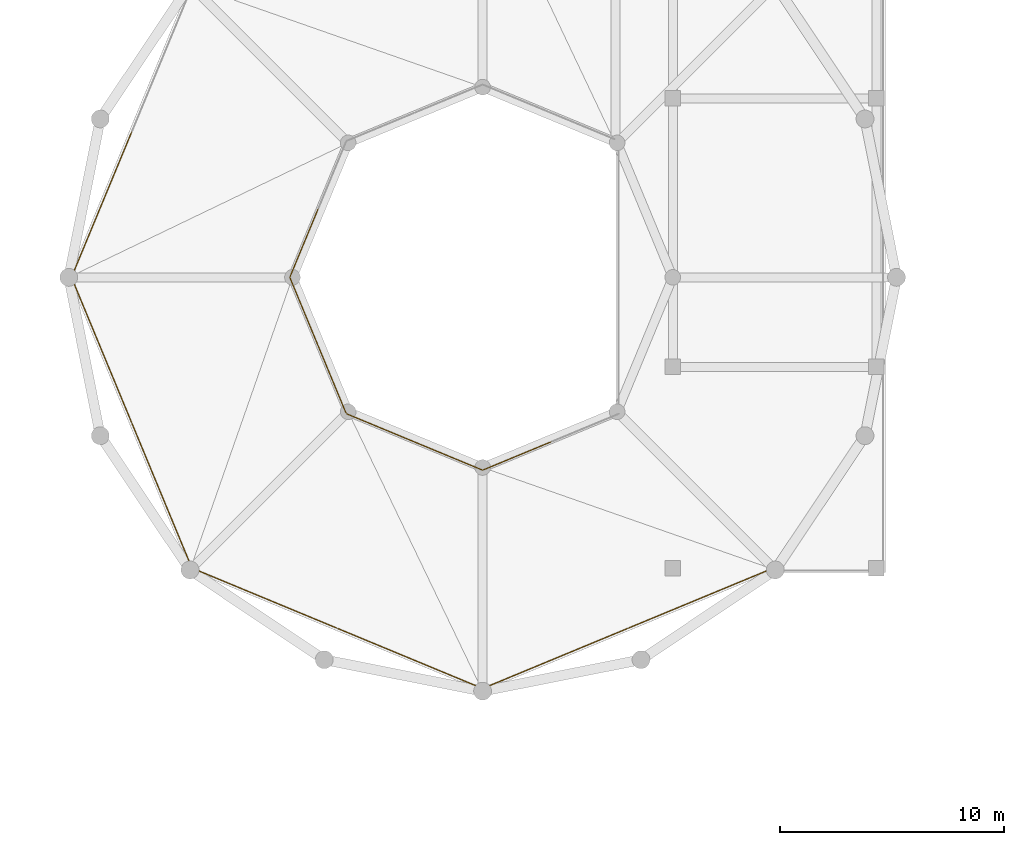
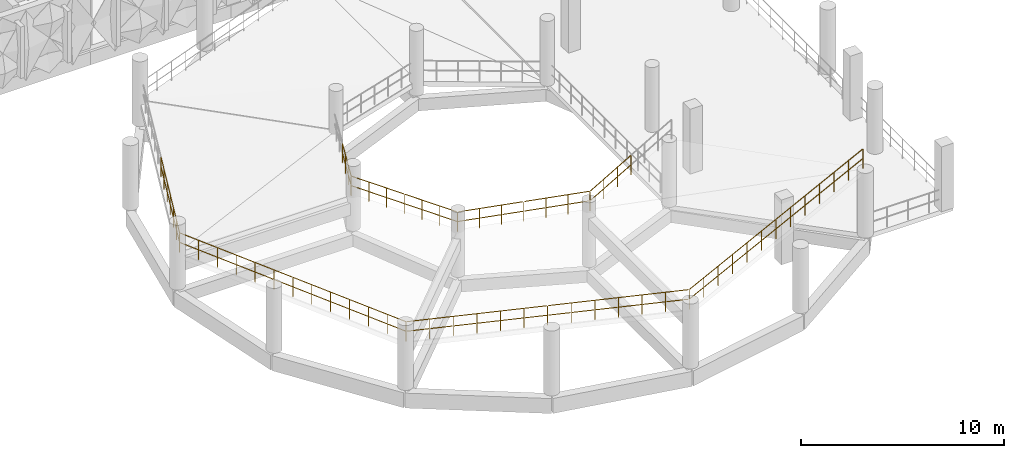
# One storey, part 82 of 96: 13 railings.
"""IFC4 building model written with IfcOpenShell, lengths in metres."""

from ifc_helpers import new_model, si_unit, derived_unit, direction, frame, origin, origin_2d, place, context, subcontext, project, spatial, circle, extrude, material, type_object, element, save


model = new_model("IFC4")

# Units and contexts
model_context = context("Model", 3, precision=1e-05, world=origin(), true_north=direction((0.0, 1.0)))
body_context = subcontext(model_context, "Body", "Model", "MODEL_VIEW")
ifc_project = project(units=[si_unit("LENGTHUNIT", "METRE"), si_unit("AREAUNIT", "SQUARE_METRE"), si_unit("VOLUMEUNIT", "CUBIC_METRE"), si_unit("PLANEANGLEUNIT", "RADIAN"), si_unit("MASSUNIT", "GRAM", prefix="KILO"), si_unit("THERMODYNAMICTEMPERATUREUNIT", "KELVIN"), derived_unit("THERMALTRANSMITTANCEUNIT", [(si_unit("POWERUNIT", "WATT"), 1), (si_unit("AREAUNIT", "SQUARE_METRE"), -1), (si_unit("THERMODYNAMICTEMPERATUREUNIT", "KELVIN"), -1)])], contexts=[model_context])

# Site, building, storey
site_placement = place(None, origin())
site = spatial("IfcSite", under=ifc_project, at=site_placement, CompositionType="ELEMENT")
building_placement = place(site_placement, origin())
building = spatial("IfcBuilding", under=site, at=building_placement, Name="Haiyu Intermodal Mobility Hub", CompositionType="ELEMENT")
storey_placement = place(building_placement, frame((0.0, 0.0, 9.5)))
storey = spatial("IfcBuildingStorey", under=building, at=storey_placement, Name="L02", CompositionType="ELEMENT", Elevation=9.5)

# Railings
ifc_material = material(Name="Steel Q355C", Category="steel")
railing_type = type_object("IfcRailingType", Name="RAL-GR01", PredefinedType="GUARDRAIL", material=ifc_material)
railing_1_placement = place(storey_placement, frame((18.31201171875, 66.498046875, 1.625)))
element("IfcRailing", 1, at=railing_1_placement, inside=storey, type_object=railing_type, Name="RAL-VRMP-O-L02-03B", PredefinedType="GUARDRAIL", context=body_context, shape_type="SweptSolid", body=[
    extrude(circle(Radius=0.02392578125, at=origin_2d()), frame((-0.011474609375, -0.027587890625, 1.17724609375), z_axis=(-0.382313907833, -0.922879282684, 0.046150898905), x_axis=(0.923863678282, -0.382721705618, 0.0)), (0.0, 0.0, 1.0), 6.98095703125),
    extrude(circle(Radius=0.02392578125, at=origin_2d()), frame((-0.01416015625, -0.034423828125, 0.601806640625), z_axis=(-0.382313907833, -0.922879282684, 0.046150898905), x_axis=(0.923863678282, -0.382721705618, 0.0)), (0.0, 0.0, 1.0), 1.098876953125),
    extrude(circle(Radius=0.02392578125, at=origin_2d()), frame((-0.462890625, -1.117431640625, 0.65576171875), z_axis=(-0.382313907833, -0.922879282684, 0.046150898905), x_axis=(0.923863678282, -0.382721705618, 0.0)), (0.0, 0.0, 1.0), 1.098876953125),
    extrude(circle(Radius=0.02392578125, at=origin_2d()), frame((-0.91162109375, -2.200439453125, 0.7099609375), z_axis=(-0.382313907833, -0.922879282684, 0.046150898905), x_axis=(0.923863678282, -0.382721705618, 0.0)), (0.0, 0.0, 1.0), 1.098876953125),
    extrude(circle(Radius=0.02392578125, at=origin_2d()), frame((-1.360107421875, -3.283447265625, 0.76416015625), z_axis=(-0.382313907833, -0.922879282684, 0.046150898905), x_axis=(0.923863678282, -0.382721705618, 0.0)), (0.0, 0.0, 1.0), 1.098876953125),
    extrude(circle(Radius=0.02392578125, at=origin_2d()), frame((-1.808837890625, -4.366455078125, 0.818359375), z_axis=(-0.382313907833, -0.922879282684, 0.046150898905), x_axis=(0.923863678282, -0.382721705618, 0.0)), (0.0, 0.0, 1.0), 1.098876953125),
    extrude(circle(Radius=0.02392578125, at=origin_2d()), frame((-2.257568359375, -5.449462890625, 0.87255859375), z_axis=(-0.382313907833, -0.922879282684, 0.046150898905), x_axis=(0.923863678282, -0.382721705618, 0.0)), (0.0, 0.0, 1.0), 1.098876953125),
    extrude(circle(Radius=0.02099609375, at=origin_2d()), origin(), (0.0, 0.0, 1.0), 1.143798828125),
    extrude(circle(Radius=0.02099609375, at=origin_2d()), frame((-0.44873046875, -1.0830078125, 0.05419921875)), (0.0, 0.0, 1.0), 1.143798828125),
    extrude(circle(Radius=0.02099609375, at=origin_2d()), frame((-0.897216796875, -2.166015625, 0.1083984375)), (0.0, 0.0, 1.0), 1.143798828125),
    extrude(circle(Radius=0.02099609375, at=origin_2d()), frame((-1.345947265625, -3.2490234375, 0.16259765625)), (0.0, 0.0, 1.0), 1.143798828125),
    extrude(circle(Radius=0.02099609375, at=origin_2d()), frame((-1.794677734375, -4.33203125, 0.216552734375)), (0.0, 0.0, 1.0), 1.143798828125),
    extrude(circle(Radius=0.02099609375, at=origin_2d()), frame((-2.2431640625, -5.4150390625, 0.270751953125)), (0.0, 0.0, 1.0), 1.143798828125),
    extrude(circle(Radius=0.02099609375, at=origin_2d()), frame((-2.69189453125, -6.498046875, 0.324951171875)), (0.0, 0.0, 1.0), 1.143798828125),
])
railing_2_placement = place(storey_placement, frame((26.64208984375, 63.048095703125, 1.625)))
element("IfcRailing", 2, at=railing_2_placement, inside=storey, type_object=railing_type, Name="RAL-VRMP-I-L02-03B", PredefinedType="GUARDRAIL", context=body_context, shape_type="SweptSolid", body=[
    extrude(circle(Radius=0.02392578125, at=origin_2d()), frame((-0.011474609375, -0.027587890625, 1.178955078125), z_axis=(-0.380748953641, -0.919468217836, 0.098022602959), x_axis=(0.923917630863, -0.382591441855, 0.0)), (0.0, 0.0, 1.0), 3.255126953125),
    extrude(circle(Radius=0.02392578125, at=origin_2d()), frame((-0.01416015625, -0.0341796875, 0.603515625), z_axis=(-0.380748953641, -0.919468217836, 0.098022602959), x_axis=(0.923917630863, -0.382591441855, 0.0)), (0.0, 0.0, 1.0), 1.030517578125),
    extrude(circle(Radius=0.02392578125, at=origin_2d()), frame((-0.434814453125, -1.05029296875, 0.7119140625), z_axis=(-0.380748953641, -0.919468217836, 0.098022602959), x_axis=(0.923917630863, -0.382591441855, 0.0)), (0.0, 0.0, 1.0), 1.030517578125),
    extrude(circle(Radius=0.02392578125, at=origin_2d()), frame((-0.855712890625, -2.06640625, 0.8203125), z_axis=(-0.380748953641, -0.919468217836, 0.098022602959), x_axis=(0.923917630863, -0.382591441855, 0.0)), (0.0, 0.0, 1.0), 1.030517578125),
    extrude(circle(Radius=0.02099609375, at=origin_2d()), origin(), (0.0, 0.0, 1.0), 1.143798828125),
    extrude(circle(Radius=0.02099609375, at=origin_2d()), frame((-0.420654296875, -1.01611328125, 0.1083984375)), (0.0, 0.0, 1.0), 1.143798828125),
    extrude(circle(Radius=0.02099609375, at=origin_2d()), frame((-0.841552734375, -2.031982421875, 0.216552734375)), (0.0, 0.0, 1.0), 1.143798828125),
    extrude(circle(Radius=0.02099609375, at=origin_2d()), frame((-1.26220703125, -3.048095703125, 0.324951171875)), (0.0, 0.0, 1.0), 1.143798828125),
])
railing_3_placement = place(storey_placement, frame((15.6201171875, 60.0, 1.949951171875)))
element("IfcRailing", 3, at=railing_3_placement, inside=storey, type_object=railing_type, Name="RAL-VRMP-O-L02-04A", PredefinedType="GUARDRAIL", context=body_context, shape_type="SweptSolid", body=[
    extrude(circle(Radius=0.02392578125, at=origin_2d()), frame((0.011474609375, -0.027587890625, 1.17724609375), z_axis=(0.382313907833, -0.922879282684, 0.046150898905), x_axis=(0.923863678282, 0.382721705618, 0.0)), (0.0, 0.0, 1.0), 6.98095703125),
    extrude(circle(Radius=0.02392578125, at=origin_2d()), frame((0.01416015625, -0.034423828125, 0.601806640625), z_axis=(0.382313907833, -0.922879282684, 0.046150898905), x_axis=(0.923863678282, 0.382721705618, 0.0)), (0.0, 0.0, 1.0), 1.098876953125),
    extrude(circle(Radius=0.02392578125, at=origin_2d()), frame((0.462890625, -1.117431640625, 0.65576171875), z_axis=(0.382313907833, -0.922879282684, 0.046150898905), x_axis=(0.923863678282, 0.382721705618, 0.0)), (0.0, 0.0, 1.0), 1.098876953125),
    extrude(circle(Radius=0.02392578125, at=origin_2d()), frame((0.91162109375, -2.200439453125, 0.7099609375), z_axis=(0.382313907833, -0.922879282684, 0.046150898905), x_axis=(0.923863678282, 0.382721705618, 0.0)), (0.0, 0.0, 1.0), 1.098876953125),
    extrude(circle(Radius=0.02392578125, at=origin_2d()), frame((1.360107421875, -3.283447265625, 0.76416015625), z_axis=(0.382313907833, -0.922879282684, 0.046150898905), x_axis=(0.923863678282, 0.382721705618, 0.0)), (0.0, 0.0, 1.0), 1.098876953125),
    extrude(circle(Radius=0.02392578125, at=origin_2d()), frame((1.808837890625, -4.366455078125, 0.818359375), z_axis=(0.382313907833, -0.922879282684, 0.046150898905), x_axis=(0.923863678282, 0.382721705618, 0.0)), (0.0, 0.0, 1.0), 1.098876953125),
    extrude(circle(Radius=0.02392578125, at=origin_2d()), frame((2.257568359375, -5.449462890625, 0.87255859375), z_axis=(0.382313907833, -0.922879282684, 0.046150898905), x_axis=(0.923863678282, 0.382721705618, 0.0)), (0.0, 0.0, 1.0), 1.098876953125),
    extrude(circle(Radius=0.02099609375, at=origin_2d()), origin(), (0.0, 0.0, 1.0), 1.143798828125),
    extrude(circle(Radius=0.02099609375, at=origin_2d()), frame((0.44873046875, -1.0830078125, 0.05419921875)), (0.0, 0.0, 1.0), 1.143798828125),
    extrude(circle(Radius=0.02099609375, at=origin_2d()), frame((0.897216796875, -2.166015625, 0.1083984375)), (0.0, 0.0, 1.0), 1.143798828125),
    extrude(circle(Radius=0.02099609375, at=origin_2d()), frame((1.345947265625, -3.2490234375, 0.16259765625)), (0.0, 0.0, 1.0), 1.143798828125),
    extrude(circle(Radius=0.02099609375, at=origin_2d()), frame((1.794677734375, -4.33203125, 0.216552734375)), (0.0, 0.0, 1.0), 1.143798828125),
    extrude(circle(Radius=0.02099609375, at=origin_2d()), frame((2.2431640625, -5.4150390625, 0.270751953125)), (0.0, 0.0, 1.0), 1.143798828125),
    extrude(circle(Radius=0.02099609375, at=origin_2d()), frame((2.69189453125, -6.498046875, 0.324951171875)), (0.0, 0.0, 1.0), 1.143798828125),
])
railing_4_placement = place(storey_placement, frame((18.31201171875, 53.501953125, 2.27490234375)))
element("IfcRailing", 4, at=railing_4_placement, inside=storey, type_object=railing_type, Name="RAL-VRMP-O-L02-04B", PredefinedType="GUARDRAIL", context=body_context, shape_type="SweptSolid", body=[
    extrude(circle(Radius=0.02392578125, at=origin_2d()), frame((0.011474609375, -0.027587890625, 1.17724609375), z_axis=(0.382313295814, -0.922877805314, 0.046185498823), x_axis=(0.923863678282, 0.382721705618, 0.0)), (0.0, 0.0, 1.0), 6.98095703125),
    extrude(circle(Radius=0.02392578125, at=origin_2d()), frame((0.01416015625, -0.034423828125, 0.601806640625), z_axis=(0.382313295814, -0.922877805314, 0.046185498823), x_axis=(0.923863678282, 0.382721705618, 0.0)), (0.0, 0.0, 1.0), 1.098876953125),
    extrude(circle(Radius=0.02392578125, at=origin_2d()), frame((0.462890625, -1.117431640625, 0.656005859375), z_axis=(0.382313295814, -0.922877805314, 0.046185498823), x_axis=(0.923863678282, 0.382721705618, 0.0)), (0.0, 0.0, 1.0), 1.098876953125),
    extrude(circle(Radius=0.02392578125, at=origin_2d()), frame((0.91162109375, -2.200439453125, 0.710205078125), z_axis=(0.382313295814, -0.922877805314, 0.046185498823), x_axis=(0.923863678282, 0.382721705618, 0.0)), (0.0, 0.0, 1.0), 1.098876953125),
    extrude(circle(Radius=0.02392578125, at=origin_2d()), frame((1.360107421875, -3.283447265625, 0.764404296875), z_axis=(0.382313295814, -0.922877805314, 0.046185498823), x_axis=(0.923863678282, 0.382721705618, 0.0)), (0.0, 0.0, 1.0), 1.098876953125),
    extrude(circle(Radius=0.02392578125, at=origin_2d()), frame((1.808837890625, -4.366455078125, 0.818603515625), z_axis=(0.382313295814, -0.922877805314, 0.046185498823), x_axis=(0.923863678282, 0.382721705618, 0.0)), (0.0, 0.0, 1.0), 1.098876953125),
    extrude(circle(Radius=0.02392578125, at=origin_2d()), frame((2.257568359375, -5.449462890625, 0.872802734375), z_axis=(0.382313295814, -0.922877805314, 0.046185498823), x_axis=(0.923863678282, 0.382721705618, 0.0)), (0.0, 0.0, 1.0), 1.098876953125),
    extrude(circle(Radius=0.02099609375, at=origin_2d()), origin(), (0.0, 0.0, 1.0), 1.143798828125),
    extrude(circle(Radius=0.02099609375, at=origin_2d()), frame((0.44873046875, -1.0830078125, 0.05419921875)), (0.0, 0.0, 1.0), 1.143798828125),
    extrude(circle(Radius=0.02099609375, at=origin_2d()), frame((0.897216796875, -2.166015625, 0.1083984375)), (0.0, 0.0, 1.0), 1.143798828125),
    extrude(circle(Radius=0.02099609375, at=origin_2d()), frame((1.345947265625, -3.2490234375, 0.16259765625)), (0.0, 0.0, 1.0), 1.143798828125),
    extrude(circle(Radius=0.02099609375, at=origin_2d()), frame((1.794677734375, -4.33203125, 0.216796875)), (0.0, 0.0, 1.0), 1.143798828125),
    extrude(circle(Radius=0.02099609375, at=origin_2d()), frame((2.2431640625, -5.4150390625, 0.27099609375)), (0.0, 0.0, 1.0), 1.143798828125),
    extrude(circle(Radius=0.02099609375, at=origin_2d()), frame((2.69189453125, -6.498046875, 0.3251953125)), (0.0, 0.0, 1.0), 1.143798828125),
])
railing_5_placement = place(storey_placement, frame((25.3798828125, 60.0, 1.949951171875)))
element("IfcRailing", 5, at=railing_5_placement, inside=storey, type_object=railing_type, Name="RAL-VRMP-I-L02-04A", PredefinedType="GUARDRAIL", context=body_context, shape_type="SweptSolid", body=[
    extrude(circle(Radius=0.02392578125, at=origin_2d()), frame((0.011474609375, -0.027587890625, 1.178955078125), z_axis=(0.380748953641, -0.919468217836, 0.098022602959), x_axis=(0.923917630863, 0.382591441855, 0.0)), (0.0, 0.0, 1.0), 3.255126953125),
    extrude(circle(Radius=0.02392578125, at=origin_2d()), frame((0.01416015625, -0.0341796875, 0.603515625), z_axis=(0.380748953641, -0.919468217836, 0.098022602959), x_axis=(0.923917630863, 0.382591441855, 0.0)), (0.0, 0.0, 1.0), 1.030517578125),
    extrude(circle(Radius=0.02392578125, at=origin_2d()), frame((0.434814453125, -1.05029296875, 0.7119140625), z_axis=(0.380748953641, -0.919468217836, 0.098022602959), x_axis=(0.923917630863, 0.382591441855, 0.0)), (0.0, 0.0, 1.0), 1.030517578125),
    extrude(circle(Radius=0.02392578125, at=origin_2d()), frame((0.855712890625, -2.06640625, 0.8203125), z_axis=(0.380748953641, -0.919468217836, 0.098022602959), x_axis=(0.923917630863, 0.382591441855, 0.0)), (0.0, 0.0, 1.0), 1.030517578125),
    extrude(circle(Radius=0.02099609375, at=origin_2d()), origin(), (0.0, 0.0, 1.0), 1.143798828125),
    extrude(circle(Radius=0.02099609375, at=origin_2d()), frame((0.420654296875, -1.01611328125, 0.1083984375)), (0.0, 0.0, 1.0), 1.143798828125),
    extrude(circle(Radius=0.02099609375, at=origin_2d()), frame((0.841552734375, -2.031982421875, 0.216552734375)), (0.0, 0.0, 1.0), 1.143798828125),
    extrude(circle(Radius=0.02099609375, at=origin_2d()), frame((1.26220703125, -3.048095703125, 0.324951171875)), (0.0, 0.0, 1.0), 1.143798828125),
])
railing_6_placement = place(storey_placement, frame((26.64208984375, 56.951904296875, 2.27490234375)))
element("IfcRailing", 6, at=railing_6_placement, inside=storey, type_object=railing_type, Name="RAL-VRMP-I-L02-04B", PredefinedType="GUARDRAIL", context=body_context, shape_type="SweptSolid", body=[
    extrude(circle(Radius=0.02392578125, at=origin_2d()), frame((0.011474609375, -0.027587890625, 1.178955078125), z_axis=(0.381064078734, -0.919327218751, 0.098120501232), x_axis=(0.923784904849, 0.382911803909, 0.0)), (0.0, 0.0, 1.0), 3.254150390625),
    extrude(circle(Radius=0.02392578125, at=origin_2d()), frame((0.01416015625, -0.0341796875, 0.603515625), z_axis=(0.381064078734, -0.919327218751, 0.098120501232), x_axis=(0.923784904849, 0.382911803909, 0.0)), (0.0, 0.0, 1.0), 1.0302734375),
    extrude(circle(Radius=0.02392578125, at=origin_2d()), frame((0.435302734375, -1.0498046875, 0.7119140625), z_axis=(0.381064078734, -0.919327218751, 0.098120501232), x_axis=(0.923784904849, 0.382911803909, 0.0)), (0.0, 0.0, 1.0), 1.0302734375),
    extrude(circle(Radius=0.02392578125, at=origin_2d()), frame((0.856201171875, -2.0654296875, 0.8203125), z_axis=(0.381064078734, -0.919327218751, 0.098120501232), x_axis=(0.923784904849, 0.382911803909, 0.0)), (0.0, 0.0, 1.0), 1.0302734375),
    extrude(circle(Radius=0.02099609375, at=origin_2d()), origin(), (0.0, 0.0, 1.0), 1.143798828125),
    extrude(circle(Radius=0.02099609375, at=origin_2d()), frame((0.4208984375, -1.015625, 0.1083984375)), (0.0, 0.0, 1.0), 1.143798828125),
    extrude(circle(Radius=0.02099609375, at=origin_2d()), frame((0.842041015625, -2.03125, 0.216796875)), (0.0, 0.0, 1.0), 1.143798828125),
    extrude(circle(Radius=0.02099609375, at=origin_2d()), frame((1.262939453125, -3.046875, 0.3251953125)), (0.0, 0.0, 1.0), 1.143798828125),
])
railing_7_placement = place(storey_placement, frame((21.00390625, 47.00390625, 2.60009765625)))
element("IfcRailing", 7, at=railing_7_placement, inside=storey, type_object=railing_type, Name="RAL-VRMP-O-L02-05A", PredefinedType="GUARDRAIL", context=body_context, shape_type="SweptSolid", body=[
    extrude(circle(Radius=0.02392578125, at=origin_2d()), frame((0.027587890625, -0.011474609375, 1.17724609375), z_axis=(0.922879282684, -0.382313907833, 0.046150898905), x_axis=(0.382721705618, 0.923863678282, 0.0)), (0.0, 0.0, 1.0), 6.98095703125),
    extrude(circle(Radius=0.02392578125, at=origin_2d()), frame((0.034423828125, -0.01416015625, 0.601806640625), z_axis=(0.922879282684, -0.382313907833, 0.046150898905), x_axis=(0.382721705618, 0.923863678282, 0.0)), (0.0, 0.0, 1.0), 1.098876953125),
    extrude(circle(Radius=0.02392578125, at=origin_2d()), frame((1.117431640625, -0.462890625, 0.65576171875), z_axis=(0.922879282684, -0.382313907833, 0.046150898905), x_axis=(0.382721705618, 0.923863678282, 0.0)), (0.0, 0.0, 1.0), 1.098876953125),
    extrude(circle(Radius=0.02392578125, at=origin_2d()), frame((2.200439453125, -0.91162109375, 0.7099609375), z_axis=(0.922879282684, -0.382313907833, 0.046150898905), x_axis=(0.382721705618, 0.923863678282, 0.0)), (0.0, 0.0, 1.0), 1.098876953125),
    extrude(circle(Radius=0.02392578125, at=origin_2d()), frame((3.283447265625, -1.360107421875, 0.76416015625), z_axis=(0.922879282684, -0.382313907833, 0.046150898905), x_axis=(0.382721705618, 0.923863678282, 0.0)), (0.0, 0.0, 1.0), 1.098876953125),
    extrude(circle(Radius=0.02392578125, at=origin_2d()), frame((4.366455078125, -1.808837890625, 0.818359375), z_axis=(0.922879282684, -0.382313907833, 0.046150898905), x_axis=(0.382721705618, 0.923863678282, 0.0)), (0.0, 0.0, 1.0), 1.098876953125),
    extrude(circle(Radius=0.02392578125, at=origin_2d()), frame((5.449462890625, -2.257568359375, 0.87255859375), z_axis=(0.922879282684, -0.382313907833, 0.046150898905), x_axis=(0.382721705618, 0.923863678282, 0.0)), (0.0, 0.0, 1.0), 1.098876953125),
    extrude(circle(Radius=0.02099609375, at=origin_2d()), origin(), (0.0, 0.0, 1.0), 1.143798828125),
    extrude(circle(Radius=0.02099609375, at=origin_2d()), frame((1.0830078125, -0.44873046875, 0.05419921875)), (0.0, 0.0, 1.0), 1.143798828125),
    extrude(circle(Radius=0.02099609375, at=origin_2d()), frame((2.166015625, -0.897216796875, 0.1083984375)), (0.0, 0.0, 1.0), 1.143798828125),
    extrude(circle(Radius=0.02099609375, at=origin_2d()), frame((3.2490234375, -1.345947265625, 0.16259765625)), (0.0, 0.0, 1.0), 1.143798828125),
    extrude(circle(Radius=0.02099609375, at=origin_2d()), frame((4.33203125, -1.794677734375, 0.216552734375)), (0.0, 0.0, 1.0), 1.143798828125),
    extrude(circle(Radius=0.02099609375, at=origin_2d()), frame((5.4150390625, -2.2431640625, 0.270751953125)), (0.0, 0.0, 1.0), 1.143798828125),
    extrude(circle(Radius=0.02099609375, at=origin_2d()), frame((6.498046875, -2.69189453125, 0.324951171875)), (0.0, 0.0, 1.0), 1.143798828125),
])
railing_8_placement = place(storey_placement, frame((27.501953125, 44.31201171875, 2.925048828125)))
element("IfcRailing", 8, at=railing_8_placement, inside=storey, type_object=railing_type, Name="RAL-VRMP-O-L02-05B", PredefinedType="GUARDRAIL", context=body_context, shape_type="SweptSolid", body=[
    extrude(circle(Radius=0.02392578125, at=origin_2d()), frame((0.027587890625, -0.011474609375, 1.17724609375), z_axis=(0.922879282684, -0.382313907833, 0.046150898905), x_axis=(0.382721705618, 0.923863678282, 0.0)), (0.0, 0.0, 1.0), 6.98095703125),
    extrude(circle(Radius=0.02392578125, at=origin_2d()), frame((0.034423828125, -0.01416015625, 0.601806640625), z_axis=(0.922879282684, -0.382313907833, 0.046150898905), x_axis=(0.382721705618, 0.923863678282, 0.0)), (0.0, 0.0, 1.0), 1.098876953125),
    extrude(circle(Radius=0.02392578125, at=origin_2d()), frame((1.117431640625, -0.462890625, 0.65576171875), z_axis=(0.922879282684, -0.382313907833, 0.046150898905), x_axis=(0.382721705618, 0.923863678282, 0.0)), (0.0, 0.0, 1.0), 1.098876953125),
    extrude(circle(Radius=0.02392578125, at=origin_2d()), frame((2.200439453125, -0.91162109375, 0.7099609375), z_axis=(0.922879282684, -0.382313907833, 0.046150898905), x_axis=(0.382721705618, 0.923863678282, 0.0)), (0.0, 0.0, 1.0), 1.098876953125),
    extrude(circle(Radius=0.02392578125, at=origin_2d()), frame((3.283447265625, -1.360107421875, 0.76416015625), z_axis=(0.922879282684, -0.382313907833, 0.046150898905), x_axis=(0.382721705618, 0.923863678282, 0.0)), (0.0, 0.0, 1.0), 1.098876953125),
    extrude(circle(Radius=0.02392578125, at=origin_2d()), frame((4.366455078125, -1.808837890625, 0.818359375), z_axis=(0.922879282684, -0.382313907833, 0.046150898905), x_axis=(0.382721705618, 0.923863678282, 0.0)), (0.0, 0.0, 1.0), 1.098876953125),
    extrude(circle(Radius=0.02392578125, at=origin_2d()), frame((5.449462890625, -2.257568359375, 0.87255859375), z_axis=(0.922879282684, -0.382313907833, 0.046150898905), x_axis=(0.382721705618, 0.923863678282, 0.0)), (0.0, 0.0, 1.0), 1.098876953125),
    extrude(circle(Radius=0.02099609375, at=origin_2d()), origin(), (0.0, 0.0, 1.0), 1.143798828125),
    extrude(circle(Radius=0.02099609375, at=origin_2d()), frame((1.0830078125, -0.44873046875, 0.05419921875)), (0.0, 0.0, 1.0), 1.143798828125),
    extrude(circle(Radius=0.02099609375, at=origin_2d()), frame((2.166015625, -0.897216796875, 0.1083984375)), (0.0, 0.0, 1.0), 1.143798828125),
    extrude(circle(Radius=0.02099609375, at=origin_2d()), frame((3.2490234375, -1.345947265625, 0.16259765625)), (0.0, 0.0, 1.0), 1.143798828125),
    extrude(circle(Radius=0.02099609375, at=origin_2d()), frame((4.33203125, -1.794677734375, 0.216552734375)), (0.0, 0.0, 1.0), 1.143798828125),
    extrude(circle(Radius=0.02099609375, at=origin_2d()), frame((5.4150390625, -2.2431640625, 0.270751953125)), (0.0, 0.0, 1.0), 1.143798828125),
    extrude(circle(Radius=0.02099609375, at=origin_2d()), frame((6.498046875, -2.69189453125, 0.324951171875)), (0.0, 0.0, 1.0), 1.143798828125),
])
railing_9_placement = place(storey_placement, frame((27.905029296875, 53.905029296875, 2.60009765625)))
element("IfcRailing", 9, at=railing_9_placement, inside=storey, type_object=railing_type, Name="RAL-VRMP-I-L02-05A", PredefinedType="GUARDRAIL", context=body_context, shape_type="SweptSolid", body=[
    extrude(circle(Radius=0.02392578125, at=origin_2d()), frame((0.027587890625, -0.011474609375, 1.178955078125), z_axis=(0.919333861182, -0.381066832043, 0.098047545612), x_axis=(0.382911803909, 0.923784904849, 0.0)), (0.0, 0.0, 1.0), 3.254150390625),
    extrude(circle(Radius=0.02392578125, at=origin_2d()), frame((0.0341796875, -0.01416015625, 0.603515625), z_axis=(0.919333861182, -0.381066832043, 0.098047545612), x_axis=(0.382911803909, 0.923784904849, 0.0)), (0.0, 0.0, 1.0), 1.030029296875),
    extrude(circle(Radius=0.02392578125, at=origin_2d()), frame((1.0498046875, -0.435302734375, 0.7119140625), z_axis=(0.919333861182, -0.381066832043, 0.098047545612), x_axis=(0.382911803909, 0.923784904849, 0.0)), (0.0, 0.0, 1.0), 1.030029296875),
    extrude(circle(Radius=0.02392578125, at=origin_2d()), frame((2.0654296875, -0.856201171875, 0.8203125), z_axis=(0.919333861182, -0.381066832043, 0.098047545612), x_axis=(0.382911803909, 0.923784904849, 0.0)), (0.0, 0.0, 1.0), 1.030029296875),
    extrude(circle(Radius=0.02099609375, at=origin_2d()), origin(), (0.0, 0.0, 1.0), 1.143798828125),
    extrude(circle(Radius=0.02099609375, at=origin_2d()), frame((1.015625, -0.4208984375, 0.1083984375)), (0.0, 0.0, 1.0), 1.143798828125),
    extrude(circle(Radius=0.02099609375, at=origin_2d()), frame((2.03125, -0.842041015625, 0.216552734375)), (0.0, 0.0, 1.0), 1.143798828125),
    extrude(circle(Radius=0.02099609375, at=origin_2d()), frame((3.046875, -1.262939453125, 0.324951171875)), (0.0, 0.0, 1.0), 1.143798828125),
])
railing_10_placement = place(storey_placement, frame((30.951904296875, 52.64208984375, 2.925048828125)))
element("IfcRailing", 10, at=railing_10_placement, inside=storey, type_object=railing_type, Name="RAL-VRMP-I-L02-05B", PredefinedType="GUARDRAIL", context=body_context, shape_type="SweptSolid", body=[
    extrude(circle(Radius=0.02392578125, at=origin_2d()), frame((0.027587890625, -0.011474609375, 1.178955078125), z_axis=(0.919468217836, -0.380748953641, 0.098022602959), x_axis=(0.382591441855, 0.923917630863, 0.0)), (0.0, 0.0, 1.0), 3.255126953125),
    extrude(circle(Radius=0.02392578125, at=origin_2d()), frame((0.0341796875, -0.01416015625, 0.603515625), z_axis=(0.919468217836, -0.380748953641, 0.098022602959), x_axis=(0.382591441855, 0.923917630863, 0.0)), (0.0, 0.0, 1.0), 1.030517578125),
    extrude(circle(Radius=0.02392578125, at=origin_2d()), frame((1.05029296875, -0.434814453125, 0.7119140625), z_axis=(0.919468217836, -0.380748953641, 0.098022602959), x_axis=(0.382591441855, 0.923917630863, 0.0)), (0.0, 0.0, 1.0), 1.030517578125),
    extrude(circle(Radius=0.02392578125, at=origin_2d()), frame((2.06640625, -0.855712890625, 0.8203125), z_axis=(0.919468217836, -0.380748953641, 0.098022602959), x_axis=(0.382591441855, 0.923917630863, 0.0)), (0.0, 0.0, 1.0), 1.030517578125),
    extrude(circle(Radius=0.02099609375, at=origin_2d()), origin(), (0.0, 0.0, 1.0), 1.143798828125),
    extrude(circle(Radius=0.02099609375, at=origin_2d()), frame((1.01611328125, -0.420654296875, 0.1083984375)), (0.0, 0.0, 1.0), 1.143798828125),
    extrude(circle(Radius=0.02099609375, at=origin_2d()), frame((2.031982421875, -0.841552734375, 0.216552734375)), (0.0, 0.0, 1.0), 1.143798828125),
    extrude(circle(Radius=0.02099609375, at=origin_2d()), frame((3.048095703125, -1.26220703125, 0.324951171875)), (0.0, 0.0, 1.0), 1.143798828125),
])
railing_11_placement = place(storey_placement, frame((34.0, 41.6201171875, 3.25)))
element("IfcRailing", 11, at=railing_11_placement, inside=storey, type_object=railing_type, Name="RAL-VRMP-O-L02-06A", PredefinedType="GUARDRAIL", context=body_context, shape_type="SweptSolid", body=[
    extrude(circle(Radius=0.02392578125, at=origin_2d()), frame((0.027587890625, 0.011474609375, 1.17724609375), z_axis=(0.922879282684, 0.382313907833, 0.046150898905), x_axis=(-0.382721705618, 0.923863678282, 0.0)), (0.0, 0.0, 1.0), 6.98095703125),
    extrude(circle(Radius=0.02392578125, at=origin_2d()), frame((0.034423828125, 0.01416015625, 0.601806640625), z_axis=(0.922879282684, 0.382313907833, 0.046150898905), x_axis=(-0.382721705618, 0.923863678282, 0.0)), (0.0, 0.0, 1.0), 1.098876953125),
    extrude(circle(Radius=0.02392578125, at=origin_2d()), frame((1.117431640625, 0.462890625, 0.65576171875), z_axis=(0.922879282684, 0.382313907833, 0.046150898905), x_axis=(-0.382721705618, 0.923863678282, 0.0)), (0.0, 0.0, 1.0), 1.098876953125),
    extrude(circle(Radius=0.02392578125, at=origin_2d()), frame((2.200439453125, 0.91162109375, 0.7099609375), z_axis=(0.922879282684, 0.382313907833, 0.046150898905), x_axis=(-0.382721705618, 0.923863678282, 0.0)), (0.0, 0.0, 1.0), 1.098876953125),
    extrude(circle(Radius=0.02392578125, at=origin_2d()), frame((3.283447265625, 1.360107421875, 0.76416015625), z_axis=(0.922879282684, 0.382313907833, 0.046150898905), x_axis=(-0.382721705618, 0.923863678282, 0.0)), (0.0, 0.0, 1.0), 1.098876953125),
    extrude(circle(Radius=0.02392578125, at=origin_2d()), frame((4.366455078125, 1.808837890625, 0.818359375), z_axis=(0.922879282684, 0.382313907833, 0.046150898905), x_axis=(-0.382721705618, 0.923863678282, 0.0)), (0.0, 0.0, 1.0), 1.098876953125),
    extrude(circle(Radius=0.02392578125, at=origin_2d()), frame((5.449462890625, 2.257568359375, 0.87255859375), z_axis=(0.922879282684, 0.382313907833, 0.046150898905), x_axis=(-0.382721705618, 0.923863678282, 0.0)), (0.0, 0.0, 1.0), 1.098876953125),
    extrude(circle(Radius=0.02099609375, at=origin_2d()), origin(), (0.0, 0.0, 1.0), 1.143798828125),
    extrude(circle(Radius=0.02099609375, at=origin_2d()), frame((1.0830078125, 0.44873046875, 0.05419921875)), (0.0, 0.0, 1.0), 1.143798828125),
    extrude(circle(Radius=0.02099609375, at=origin_2d()), frame((2.166015625, 0.897216796875, 0.1083984375)), (0.0, 0.0, 1.0), 1.143798828125),
    extrude(circle(Radius=0.02099609375, at=origin_2d()), frame((3.2490234375, 1.345947265625, 0.16259765625)), (0.0, 0.0, 1.0), 1.143798828125),
    extrude(circle(Radius=0.02099609375, at=origin_2d()), frame((4.33203125, 1.794677734375, 0.216552734375)), (0.0, 0.0, 1.0), 1.143798828125),
    extrude(circle(Radius=0.02099609375, at=origin_2d()), frame((5.4150390625, 2.2431640625, 0.270751953125)), (0.0, 0.0, 1.0), 1.143798828125),
    extrude(circle(Radius=0.02099609375, at=origin_2d()), frame((6.498046875, 2.69189453125, 0.324951171875)), (0.0, 0.0, 1.0), 1.143798828125),
])
railing_12_placement = place(storey_placement, frame((40.498046875, 44.31201171875, 3.574951171875)))
element("IfcRailing", 12, at=railing_12_placement, inside=storey, type_object=railing_type, Name="RAL-VRMP-O-L02-06B", PredefinedType="GUARDRAIL", context=body_context, shape_type="SweptSolid", body=[
    extrude(circle(Radius=0.02392578125, at=origin_2d()), frame((0.027587890625, 0.011474609375, 1.17724609375), z_axis=(0.922879282684, 0.382313907833, 0.046150898905), x_axis=(-0.382721705618, 0.923863678282, 0.0)), (0.0, 0.0, 1.0), 6.98095703125),
    extrude(circle(Radius=0.02392578125, at=origin_2d()), frame((0.034423828125, 0.01416015625, 0.601806640625), z_axis=(0.922879282684, 0.382313907833, 0.046150898905), x_axis=(-0.382721705618, 0.923863678282, 0.0)), (0.0, 0.0, 1.0), 1.098876953125),
    extrude(circle(Radius=0.02392578125, at=origin_2d()), frame((1.117431640625, 0.462890625, 0.65576171875), z_axis=(0.922879282684, 0.382313907833, 0.046150898905), x_axis=(-0.382721705618, 0.923863678282, 0.0)), (0.0, 0.0, 1.0), 1.098876953125),
    extrude(circle(Radius=0.02392578125, at=origin_2d()), frame((2.200439453125, 0.91162109375, 0.7099609375), z_axis=(0.922879282684, 0.382313907833, 0.046150898905), x_axis=(-0.382721705618, 0.923863678282, 0.0)), (0.0, 0.0, 1.0), 1.098876953125),
    extrude(circle(Radius=0.02392578125, at=origin_2d()), frame((3.283447265625, 1.360107421875, 0.76416015625), z_axis=(0.922879282684, 0.382313907833, 0.046150898905), x_axis=(-0.382721705618, 0.923863678282, 0.0)), (0.0, 0.0, 1.0), 1.098876953125),
    extrude(circle(Radius=0.02392578125, at=origin_2d()), frame((4.366455078125, 1.808837890625, 0.818359375), z_axis=(0.922879282684, 0.382313907833, 0.046150898905), x_axis=(-0.382721705618, 0.923863678282, 0.0)), (0.0, 0.0, 1.0), 1.098876953125),
    extrude(circle(Radius=0.02392578125, at=origin_2d()), frame((5.449462890625, 2.257568359375, 0.87255859375), z_axis=(0.922879282684, 0.382313907833, 0.046150898905), x_axis=(-0.382721705618, 0.923863678282, 0.0)), (0.0, 0.0, 1.0), 1.098876953125),
    extrude(circle(Radius=0.02099609375, at=origin_2d()), origin(), (0.0, 0.0, 1.0), 1.143798828125),
    extrude(circle(Radius=0.02099609375, at=origin_2d()), frame((1.0830078125, 0.44873046875, 0.05419921875)), (0.0, 0.0, 1.0), 1.143798828125),
    extrude(circle(Radius=0.02099609375, at=origin_2d()), frame((2.166015625, 0.897216796875, 0.1083984375)), (0.0, 0.0, 1.0), 1.143798828125),
    extrude(circle(Radius=0.02099609375, at=origin_2d()), frame((3.2490234375, 1.345947265625, 0.16259765625)), (0.0, 0.0, 1.0), 1.143798828125),
    extrude(circle(Radius=0.02099609375, at=origin_2d()), frame((4.33203125, 1.794677734375, 0.216552734375)), (0.0, 0.0, 1.0), 1.143798828125),
    extrude(circle(Radius=0.02099609375, at=origin_2d()), frame((5.4150390625, 2.2431640625, 0.270751953125)), (0.0, 0.0, 1.0), 1.143798828125),
    extrude(circle(Radius=0.02099609375, at=origin_2d()), frame((6.498046875, 2.69189453125, 0.324951171875)), (0.0, 0.0, 1.0), 1.143798828125),
])
railing_13_placement = place(storey_placement, frame((34.0, 51.3798828125, 3.25)))
element("IfcRailing", 13, at=railing_13_placement, inside=storey, type_object=railing_type, Name="RAL-VRMP-I-L02-06A", PredefinedType="GUARDRAIL", context=body_context, shape_type="SweptSolid", body=[
    extrude(circle(Radius=0.02392578125, at=origin_2d()), frame((0.027587890625, 0.011474609375, 1.178955078125), z_axis=(0.919468217836, 0.380748953641, 0.098022602959), x_axis=(-0.382591441855, 0.923917630863, 0.0)), (0.0, 0.0, 1.0), 3.255126953125),
    extrude(circle(Radius=0.02392578125, at=origin_2d()), frame((0.0341796875, 0.01416015625, 0.603515625), z_axis=(0.919468217836, 0.380748953641, 0.098022602959), x_axis=(-0.382591441855, 0.923917630863, 0.0)), (0.0, 0.0, 1.0), 1.030517578125),
    extrude(circle(Radius=0.02392578125, at=origin_2d()), frame((1.05029296875, 0.434814453125, 0.7119140625), z_axis=(0.919468217836, 0.380748953641, 0.098022602959), x_axis=(-0.382591441855, 0.923917630863, 0.0)), (0.0, 0.0, 1.0), 1.030517578125),
    extrude(circle(Radius=0.02392578125, at=origin_2d()), frame((2.06640625, 0.855712890625, 0.8203125), z_axis=(0.919468217836, 0.380748953641, 0.098022602959), x_axis=(-0.382591441855, 0.923917630863, 0.0)), (0.0, 0.0, 1.0), 1.030517578125),
    extrude(circle(Radius=0.02099609375, at=origin_2d()), origin(), (0.0, 0.0, 1.0), 1.143798828125),
    extrude(circle(Radius=0.02099609375, at=origin_2d()), frame((1.01611328125, 0.420654296875, 0.1083984375)), (0.0, 0.0, 1.0), 1.143798828125),
    extrude(circle(Radius=0.02099609375, at=origin_2d()), frame((2.031982421875, 0.841552734375, 0.216552734375)), (0.0, 0.0, 1.0), 1.143798828125),
    extrude(circle(Radius=0.02099609375, at=origin_2d()), frame((3.048095703125, 1.26220703125, 0.324951171875)), (0.0, 0.0, 1.0), 1.143798828125),
])

save(model, "model.ifc")
